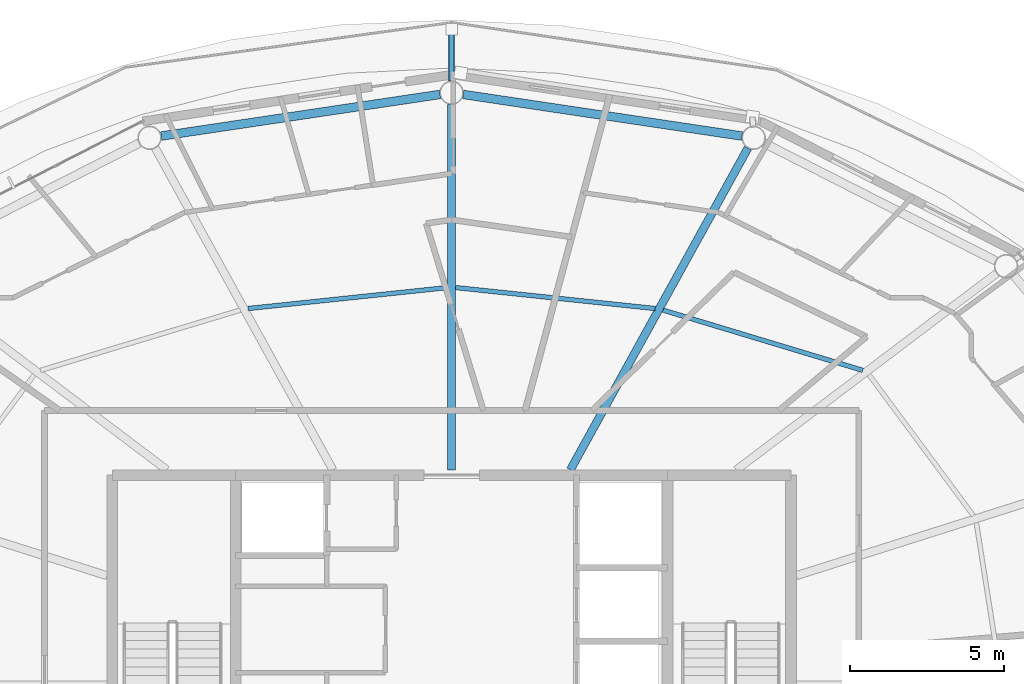
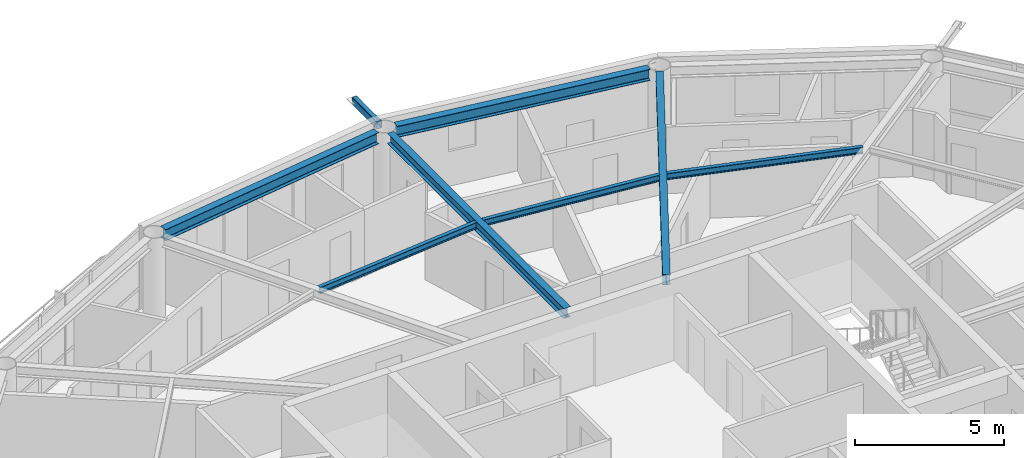
# One storey, part 10 of 23: 7 beams, 1 member.
"""IFC4 building model written with IfcOpenShell, lengths in metres."""

from ifc_helpers import new_model, si_unit, direction, frame, origin, origin_2d, place, context, subcontext, project, spatial, hollow_rectangle, i_section, extrude, material, material_profile, profile_set, type_object, element, save


model = new_model("IFC4")

# Units and contexts
model_context = context("Model", 3, precision=1e-05, world=origin(), true_north=direction((0.0, 1.0)))
body_context = subcontext(model_context, "Body", "Model", "MODEL_VIEW")
ifc_project = project(units=[si_unit("LENGTHUNIT", "METRE"), si_unit("AREAUNIT", "SQUARE_METRE"), si_unit("VOLUMEUNIT", "CUBIC_METRE"), si_unit("PLANEANGLEUNIT", "RADIAN"), si_unit("MASSUNIT", "GRAM", prefix="KILO")], contexts=[model_context])

# Site, building, storey
site_placement = place(None, origin())
site = spatial("IfcSite", under=ifc_project, at=site_placement, CompositionType="ELEMENT")
building_placement = place(site_placement, origin())
building = spatial("IfcBuilding", under=site, at=building_placement, Name="Sarneth Arch Tower", CompositionType="ELEMENT")
storey_placement = place(building_placement, frame((0.0, 0.0, 276.60009765625)))
storey = spatial("IfcBuildingStorey", under=building, at=storey_placement, Name="L71", CompositionType="ELEMENT", Elevation=276.60009765625)

# Beams
ifc_material_1 = material(Name="Steel S355", Category="steel")
ifc_material_profile_1 = material_profile(ifc_material_1, i_section(OverallWidth=0.14794921875, OverallDepth=0.26611328125, WebThickness=0.007568359375, FlangeThickness=0.012939453125, FilletRadius=0.012939453125, at=origin_2d()), Name="W250x44.8")
ifc_profile_set_1 = profile_set([ifc_material_profile_1], Name="Steel S355")
beam_type_1 = type_object("IfcBeamType", Name="BM-JOIST-250", PredefinedType="JOIST", material=ifc_profile_set_1)
beam_1_placement = place(storey_placement, frame((61.32861328125, 52.198486328125, 3.23681640625), z_axis=(-0.957373106971, 0.288854174367, 0.0), x_axis=(-0.288854174367, -0.957373106971, 0.0)))
element("IfcBeam", 1, at=beam_1_placement, inside=storey, type_object=beam_type_1, Name="L71 Secondary floor joist 03", PredefinedType="JOIST", context=body_context, shape_type="SweptSolid", body=[
    extrude(i_section(OverallWidth=0.14794921875, OverallDepth=0.26611328125, WebThickness=0.007568359375, FlangeThickness=0.012939453125, FilletRadius=0.012939453125, at=origin_2d()), origin(), (0.0, 0.0, 1.0), 6.76416015625),
])
for number, where, z_axis, x_axis, name in (
    (2, (54.59912109375, 54.20361328125, 3.23681640625), (-0.994526818736, 0.104481609938, 0.0), (-0.104481609938, -0.994526818736, 0.0), "L71 Secondary floor joist 04"),
    (3, (47.87060546875, 54.88330078125, 3.23681640625), (-0.994526818736, -0.104481609938, 0.0), (0.104481609938, -0.994526818736, 0.0), "L71 Secondary floor joist 05"),
):
    element("IfcBeam", number, at=place(storey_placement, frame(where, z_axis=z_axis, x_axis=x_axis)), inside=storey, type_object=beam_type_1, Name=name, PredefinedType="JOIST", context=body_context, shape_type="SweptSolid", body=[
        extrude(i_section(OverallWidth=0.14794921875, OverallDepth=0.26611328125, WebThickness=0.007568359375, FlangeThickness=0.012939453125, FilletRadius=0.012939453125, at=origin_2d()), origin(), (0.0, 0.0, 1.0), 6.50537109375),
    ])
ifc_material_2 = material(Name="Steel S355", Category="steel")
ifc_material_profile_2 = material_profile(ifc_material_2, i_section(OverallWidth=0.260009765625, OverallDepth=0.4150390625, WebThickness=0.010009765625, FlangeThickness=0.016845703125, FilletRadius=0.01611328125, at=origin_2d()), Name="W410x100")
ifc_profile_set_2 = profile_set([ifc_material_profile_2], Name="Steel S355")
beam_type_2 = type_object("IfcBeamType", Name="BM-RAD-410A", PredefinedType="BEAM", material=ifc_profile_set_2)
beam_2_placement = place(storey_placement, frame((51.849853515625, 48.97509765625, 3.162353515625), z_axis=(0.483231193732, 0.875492783182, 0.0), x_axis=(-0.875492783182, 0.483231193732, 0.0)))
element("IfcBeam", 4, at=beam_2_placement, inside=storey, type_object=beam_type_2, Name="L71 Radial floor girder 04", PredefinedType="BEAM", context=body_context, shape_type="SweptSolid", body=[
    extrude(i_section(OverallWidth=0.260009765625, OverallDepth=0.4150390625, WebThickness=0.010009765625, FlangeThickness=0.016845703125, FilletRadius=0.01611328125, at=origin_2d()), origin(), (0.0, 0.0, 1.0), 11.913330078125),
])
beam_3_placement = place(storey_placement, frame((48.0, 48.97509765625, 3.162353515625), z_axis=(0.0, 1.0, 0.0), x_axis=(-1.0, 0.0, 0.0)))
element("IfcBeam", 5, at=beam_3_placement, inside=storey, type_object=beam_type_2, Name="L71 Radial floor girder 05", PredefinedType="BEAM", context=body_context, shape_type="SweptSolid", body=[
    extrude(i_section(OverallWidth=0.260009765625, OverallDepth=0.4150390625, WebThickness=0.010009765625, FlangeThickness=0.016845703125, FilletRadius=0.01611328125, at=origin_2d()), origin(), (0.0, 0.0, 1.0), 11.843994140625),
])
ifc_material_3 = material(Name="Steel S355", Category="steel")
ifc_material_profile_3 = material_profile(ifc_material_3, i_section(OverallWidth=0.280029296875, OverallDepth=0.462890625, WebThickness=0.0107421875, FlangeThickness=0.017333984375, FilletRadius=0.01806640625, at=origin_2d()), Name="W460x113")
ifc_profile_set_3 = profile_set([ifc_material_profile_3], Name="Steel S355")
beam_type_3 = type_object("IfcBeamType", Name="BM-RAD-460A", PredefinedType="BEAM", material=ifc_profile_set_3)
for number, where, z_axis, x_axis, name in (
    (6, (57.4140625, 59.794677734375, 3.138427734375), (-0.989040174637, 0.147646648973, 0.0), (-0.147646648973, -0.989040174637, 0.0), "L71 Perimeter spandrel beam 04"),
    (7, (47.623291015625, 61.143798828125, 3.138427734375), (-0.989040174637, -0.147646648973, 0.0), (0.147646648973, -0.989040174637, 0.0), "L71 Perimeter spandrel beam 05"),
):
    element("IfcBeam", number, at=place(storey_placement, frame(where, z_axis=z_axis, x_axis=x_axis)), inside=storey, type_object=beam_type_3, Name=name, PredefinedType="BEAM", context=body_context, shape_type="SweptSolid", body=[
        extrude(i_section(OverallWidth=0.280029296875, OverallDepth=0.462890625, WebThickness=0.0107421875, FlangeThickness=0.017333984375, FilletRadius=0.01806640625, at=origin_2d()), origin(), (0.0, 0.0, 1.0), 9.137451171875),
    ])

# Member
ifc_material_4 = material(Name="Steel S355", Category="steel")
ifc_material_profile_4 = material_profile(ifc_material_4, hollow_rectangle(XDim=0.199951171875, YDim=0.300048828125, WallThickness=0.012451171875, InnerFilletRadius=0.018798828125, OuterFilletRadius=0.03125, at=origin_2d()), Name="RHS300x200x12.5")
ifc_profile_set_4 = profile_set([ifc_material_profile_4], Name="Steel S355")
member_type = type_object("IfcMemberType", Name="MEM-CANT-STRUT", PredefinedType="STRUT", material=ifc_profile_set_4)
member_placement = place(storey_placement, frame((48.0, 61.5810546875, 3.2099609375), z_axis=(0.0, 1.0, 0.0), x_axis=(-1.0, 0.0, 0.0)))
element("IfcMember", 8, at=member_placement, inside=storey, type_object=member_type, Name="L71 Balcony cantilever bracket 05", PredefinedType="STRUT", context=body_context, shape_type="SweptSolid", body=[
    extrude(hollow_rectangle(XDim=0.199951171875, YDim=0.300048828125, WallThickness=0.012451171875, InnerFilletRadius=0.018798828125, OuterFilletRadius=0.03125, at=origin_2d()), origin(), (0.0, 0.0, 1.0), 1.677001953125),
])

save(model, "model.ifc")
